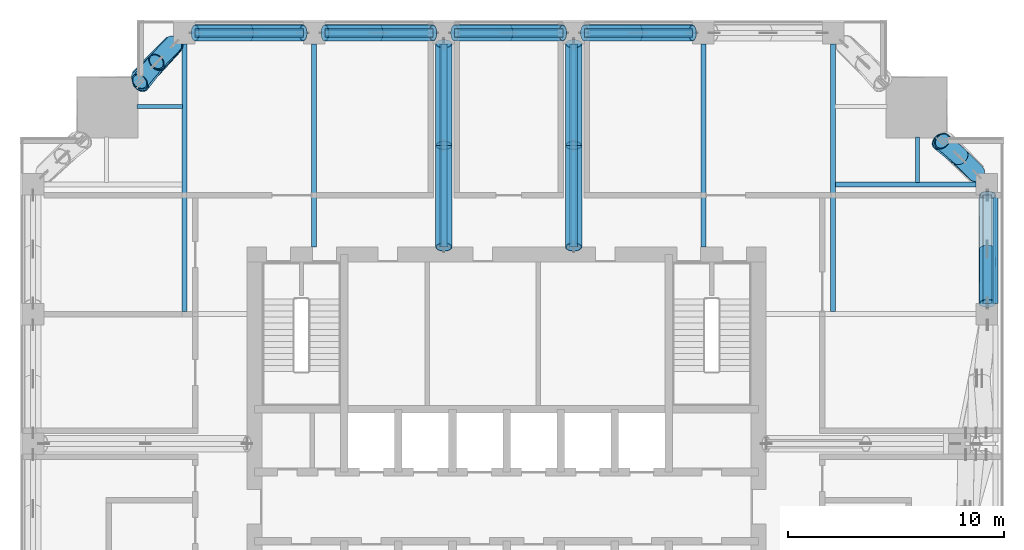
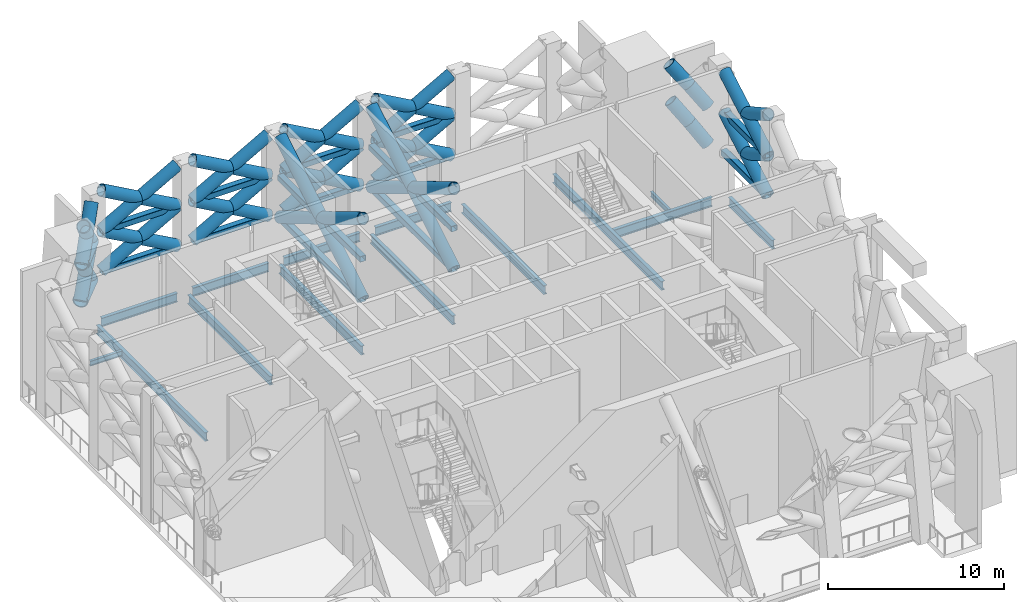
# One storey, part 5 of 18: 46 members, 30 beams.
"""IFC4 building model written with IfcOpenShell, lengths in metres."""

import ifcopenshell
import ifcopenshell.guid

model = None  # the IFC model being written
_history = None  # IfcOwnerHistory: only IFC2X3 demands one
_inside = {}  # id of a spatial element -> (the spatial element, [elements in it])
_under = {}  # id of a project, library or spatial element -> (it, [spatial elements below it])
_declared = {}  # id of a project -> (the project, [libraries it declares])
_typed = {}  # id of a type object -> (the type object, [elements of that type])
_made_of = {}  # id of a material, layer set ... -> (it, [elements and type objects made of it])


def new_model(schema):
    """Start an empty IFC model of exactly this schema.

    Asked for "IFC4X3", IfcOpenShell would pick the latest addendum, in which some entities
    have other attributes; the version numbers below select the first issue.
    IFC2X3 requires an IfcOwnerHistory on every rooted entity: one is made here for all.
    """
    global model, _history
    if schema == "IFC4X3":
        model = ifcopenshell.file(schema_version=(4, 3, 0, 0))
    else:
        model = ifcopenshell.file(schema=schema)
    _inside.clear()
    _under.clear()
    _declared.clear()
    _typed.clear()
    _made_of.clear()
    _history = None
    if model.schema == "IFC2X3":
        org = make("IfcOrganization", Name="unknown")
        user = make(
            "IfcPersonAndOrganization",
            ThePerson=make("IfcPerson", FamilyName="unknown"),
            TheOrganization=org,
        )
        app = make(
            "IfcApplication",
            ApplicationDeveloper=org,
            Version="unknown",
            ApplicationFullName="unknown",
            ApplicationIdentifier="unknown",
        )
        _history = make(
            "IfcOwnerHistory",
            OwningUser=user,
            OwningApplication=app,
            ChangeAction="ADDED",
            CreationDate=0,
        )
    return model


def make(cls, **values):
    """One entity of the class cls with the attributes given. An attribute that is None is left unset."""
    return model.create_entity(
        cls, **{name: value for name, value in values.items() if value is not None}
    )


def rooted(cls, **values):
    """An entity with a GlobalId (a new one), such as an element, a storey or a relation."""
    return make(cls, GlobalId=ifcopenshell.guid.new(), OwnerHistory=_history, **values)


def si_unit(unit_type, name, prefix=None):
    """IfcSIUnit, for example si_unit("LENGTHUNIT", "METRE", prefix="MILLI")."""
    return make("IfcSIUnit", UnitType=unit_type, Prefix=prefix, Name=name)


def assignment(units):
    """IfcUnitAssignment: the units of a project."""
    return None if units is None else make("IfcUnitAssignment", Units=units)


def point(xyz):
    """IfcCartesianPoint."""
    return None if xyz is None else make("IfcCartesianPoint", Coordinates=xyz)


def direction(xyz):
    """IfcDirection."""
    return None if xyz is None else make("IfcDirection", DirectionRatios=xyz)


def frame(location, z_axis=None, x_axis=None):
    """IfcAxis2Placement3D, a coordinate frame: its origin and axes. An axis left out is left unset."""
    return make(
        "IfcAxis2Placement3D",
        Location=point(location),
        Axis=direction(z_axis),
        RefDirection=direction(x_axis),
    )


def frame_2d(location, x_axis=None):
    """IfcAxis2Placement2D, a coordinate frame in the plane: its origin and x axis."""
    return make(
        "IfcAxis2Placement2D", Location=point(location), RefDirection=direction(x_axis)
    )


def origin():
    """The frame at (0, 0, 0) with its axes left unset."""
    return frame((0.0, 0.0, 0.0))


def origin_2d():
    """The frame at (0, 0) in the plane with its x axis left unset."""
    return frame_2d((0.0, 0.0))


def place(relative_to, where):
    """IfcLocalPlacement: puts the frame where relative to a parent placement (None: the world)."""
    return make(
        "IfcLocalPlacement", PlacementRelTo=relative_to, RelativePlacement=where
    )


def context(
    kind, dimensions, precision=None, world=None, true_north=None, identifier=None
):
    """IfcGeometricRepresentationContext, for example the 3D "Model" context."""
    return make(
        "IfcGeometricRepresentationContext",
        ContextIdentifier=identifier,
        ContextType=kind,
        CoordinateSpaceDimension=dimensions,
        Precision=precision,
        WorldCoordinateSystem=world,
        TrueNorth=true_north,
    )


def subcontext(parent, identifier, kind, view, scale=None):
    """IfcGeometricRepresentationSubContext, for example "Body" below "Model"."""
    return make(
        "IfcGeometricRepresentationSubContext",
        ContextIdentifier=identifier,
        ContextType=kind,
        ParentContext=parent,
        TargetScale=scale,
        TargetView=view,
    )


def project(units=None, contexts=None):
    """IfcProject with its units and contexts."""
    return rooted(
        "IfcProject",
        Name="project",
        RepresentationContexts=contexts,
        UnitsInContext=assignment(units),
    )


def spatial(cls, under=None, at=None, **own):
    """A site, building, storey or space (cls), placed at a placement, below another one or the project."""
    s = rooted(cls, ObjectPlacement=at, **own)
    if under is not None:
        _under.setdefault(under.id(), (under, []))[1].append(s)
    return s


def profile(cls, at=None, kind="AREA", **sizes):
    """A parametric profile (cls). Its sizes go by their IFC names, for example OverallWidth=200.0."""
    return make(cls, ProfileType=kind, Position=at, **sizes)


def hollow_rectangle(**sizes):
    """IfcRectangleHollowProfileDef."""
    return profile("IfcRectangleHollowProfileDef", **sizes)


def hollow_circle(**sizes):
    """IfcCircleHollowProfileDef."""
    return profile("IfcCircleHollowProfileDef", **sizes)


def i_section(**sizes):
    """IfcIShapeProfileDef."""
    return profile("IfcIShapeProfileDef", **sizes)


def extrude(swept, where, along, depth):
    """IfcExtrudedAreaSolid: the profile swept, set in the frame where, extruded along a direction by depth."""
    return make(
        "IfcExtrudedAreaSolid",
        SweptArea=swept,
        Position=where,
        ExtrudedDirection=direction(along),
        Depth=depth,
    )


def shape(context_of_items, identifier, shape_type, items):
    """IfcShapeRepresentation: the items that make up one representation, for example the "Body"."""
    return make(
        "IfcShapeRepresentation",
        ContextOfItems=context_of_items,
        RepresentationIdentifier=identifier,
        RepresentationType=shape_type,
        Items=items,
    )


def material(Name=None, Category=None):
    """IfcMaterial."""
    return make("IfcMaterial", Name=Name, Category=Category)


def material_profile(
    of_material, cross_section, Name=None, Category=None, Priority=None
):
    """IfcMaterialProfile: a cross section and its material."""
    return make(
        "IfcMaterialProfile",
        Name=Name,
        Material=of_material,
        Profile=cross_section,
        Priority=Priority,
        Category=Category,
    )


def profile_set(profiles, Name=None, composite=None):
    """IfcMaterialProfileSet."""
    return make(
        "IfcMaterialProfileSet",
        Name=Name,
        MaterialProfiles=profiles,
        CompositeProfile=composite,
    )


def made_of(thing, what):
    """Note that an element or type object is made of a material, layer set ...; save() writes the relation."""
    if what is not None:
        _made_of.setdefault(what.id(), (what, []))[1].append(thing)
    return thing


def type_object(cls, material=None, **own):
    """A type object (cls), such as IfcWallType, which elements share."""
    return made_of(rooted(cls, **own), material)


def element(
    cls,
    number,
    at=None,
    inside=None,
    cuts=None,
    type_object=None,
    material=None,
    context=None,
    identifier="Body",
    shape_type=None,
    held_by="IfcProductDefinitionShape",
    body=None,
    shapes=None,
    **own,
):
    """One element of the class cls, such as IfcWall. Its Tag is "e" and its number.

    at: its placement. inside: the storey or other place that contains it. cuts: it is an
    opening in that element (IfcRelVoidsElement). A single representation is given by context,
    identifier, shape_type and body (its items); several are given by shapes. held_by: the class
    of the entity that holds the representations. save() writes the other relations.
    """
    e = rooted(cls, Tag="e%d" % number, ObjectPlacement=at, **own)
    if body is not None:
        shapes = [shape(context, identifier, shape_type, body)]
    if shapes is not None:
        e.Representation = make(held_by, Representations=shapes)
    if inside is not None:
        _inside.setdefault(inside.id(), (inside, []))[1].append(e)
    if cuts is not None:
        rooted(
            "IfcRelVoidsElement", RelatingBuildingElement=cuts, RelatedOpeningElement=e
        )
    if type_object is not None:
        _typed.setdefault(type_object.id(), (type_object, []))[1].append(e)
    return made_of(e, material)


def aggregate(whole, parts):
    """IfcRelAggregates: a whole, such as a stair, and the parts it consists of."""
    return rooted("IfcRelAggregates", RelatingObject=whole, RelatedObjects=parts)


def save(model, path):
    """Write the relations noted so far, then the file.

    IfcRelAggregates (storeys below a building ...), IfcRelContainedInSpatialStructure (elements
    in a storey), IfcRelDefinesByType, IfcRelAssociatesMaterial and IfcRelDeclares: one each for
    every whole, place, type object, material and project.
    """
    for whole, parts in _under.values():
        aggregate(whole, parts)
    for where, things in _inside.values():
        rooted(
            "IfcRelContainedInSpatialStructure",
            RelatedElements=things,
            RelatingStructure=where,
        )
    for kind, things in _typed.values():
        rooted("IfcRelDefinesByType", RelatedObjects=things, RelatingType=kind)
    for what, things in _made_of.values():
        rooted("IfcRelAssociatesMaterial", RelatedObjects=things, RelatingMaterial=what)
    for by, libraries in _declared.values():
        rooted("IfcRelDeclares", RelatingContext=by, RelatedDefinitions=libraries)
    model.write(path)


model = new_model("IFC4")

# Units and contexts
model_context = context("Model", 3, precision=1e-05, world=origin(), true_north=direction((0.0, 1.0)))
body_context = subcontext(model_context, "Body", "Model", "MODEL_VIEW")
ifc_project = project(units=[si_unit("LENGTHUNIT", "METRE"), si_unit("AREAUNIT", "SQUARE_METRE"), si_unit("VOLUMEUNIT", "CUBIC_METRE"), si_unit("PLANEANGLEUNIT", "RADIAN"), si_unit("MASSUNIT", "GRAM", prefix="KILO")], contexts=[model_context])

# Site, building, storey
site_placement = place(None, origin())
site = spatial("IfcSite", under=ifc_project, at=site_placement, CompositionType="ELEMENT")
building_placement = place(site_placement, origin())
building = spatial("IfcBuilding", under=site, at=building_placement, Name="Amberfall Residences", CompositionType="ELEMENT")
storey_placement = place(building_placement, frame((0.0, 0.0, 178.0)))
storey = spatial("IfcBuildingStorey", under=building, at=storey_placement, Name="L48", CompositionType="ELEMENT", Elevation=178.0)

# Beams
ifc_material = material(Name="Steel S355", Category="steel")
ifc_material_profile_1 = material_profile(ifc_material, hollow_circle(Radius=0.457275390625, WallThickness=0.06005859375, at=origin_2d()), Name="CHS 914.4x60")
ifc_profile_set_1 = profile_set([ifc_material_profile_1], Name="Steel S355")
beam_type_1 = type_object("IfcBeamType", Name="Belt truss chord BT CHS 914.4x60", PredefinedType="BEAM", material=ifc_profile_set_1)
beam_1_placement = place(storey_placement, frame((57.506591796875, 65.2685546875, 3.0), z_axis=(0.700725483143, 0.713431003864, 0.0), x_axis=(-0.713431003864, 0.700725483143, 0.0)))
element("IfcBeam", 1, at=beam_1_placement, inside=storey, type_object=beam_type_1, Name="Belt truss chord BT2 L48 NWN", PredefinedType="BEAM", context=body_context, shape_type="SweptSolid", body=[
    extrude(hollow_circle(Radius=0.457275390625, WallThickness=0.06005859375, at=origin_2d()), origin(), (0.0, 0.0, 1.0), 2.28662109375),
])
beam_2_placement = place(storey_placement, frame((57.53564453125, 65.147705078125, 5.646484375), z_axis=(0.675673462117, 0.737201039467, 0.0), x_axis=(-0.737201039467, 0.675673462117, 0.0)))
element("IfcBeam", 2, at=beam_2_placement, inside=storey, type_object=beam_type_1, Name="Belt truss chord BT2 L48 NWNm", PredefinedType="BEAM", context=body_context, shape_type="SweptSolid", body=[
    extrude(hollow_circle(Radius=0.457275390625, WallThickness=0.06005859375, at=origin_2d()), origin(), (0.0, 0.0, 1.0), 2.376708984375),
])
ifc_material_profile_2 = material_profile(ifc_material, hollow_rectangle(XDim=0.39990234375, YDim=0.39990234375, WallThickness=0.02001953125, InnerFilletRadius=0.02001953125, OuterFilletRadius=0.030029296875, at=origin_2d()), Name="RHS 400x400x20")
ifc_profile_set_2 = profile_set([ifc_material_profile_2], Name="Steel S355")
beam_type_2 = type_object("IfcBeamType", Name="Belt truss chord BT RHS 400x400x20", PredefinedType="BEAM", material=ifc_profile_set_2)
for number, where, z_axis, x_axis, name in (
    (3, (96.71728515625, 54.89990234375, 2.89990234375), (0.0, 1.0, 0.0), (-1.0, 0.0, 0.0), "Belt truss chord BT3 L48 E5"),
    (4, (96.732421875, 54.89990234375, 5.699951171875), (0.0, 1.0, 0.0), (-1.0, 0.0, 0.0), "Belt truss chord BT3 L48 E5m"),
    (5, (60.10009765625, 67.39990234375, 2.89990234375), (1.0, 0.0, 0.0), (0.0, 1.0, 0.0), "Belt truss chord BT3 L48 N1"),
    (6, (60.10009765625, 67.39990234375, 5.699951171875), (1.0, 0.0, 0.0), (0.0, 1.0, 0.0), "Belt truss chord BT3 L48 N1m"),
    (7, (66.10009765625, 67.39990234375, 2.89990234375), (1.0, 0.0, 0.0), (0.0, 1.0, 0.0), "Belt truss chord BT3 L48 N2"),
    (8, (66.10009765625, 67.39990234375, 5.699951171875), (1.0, 0.0, 0.0), (0.0, 1.0, 0.0), "Belt truss chord BT3 L48 N2m"),
    (9, (72.10009765625, 67.39990234375, 2.89990234375), (1.0, 0.0, 0.0), (0.0, 1.0, 0.0), "Belt truss chord BT3 L48 N3"),
    (10, (72.10009765625, 67.39990234375, 5.699951171875), (1.0, 0.0, 0.0), (0.0, 1.0, 0.0), "Belt truss chord BT3 L48 N3m"),
    (11, (78.10009765625, 67.39990234375, 2.89990234375), (1.0, 0.0, 0.0), (0.0, 1.0, 0.0), "Belt truss chord BT3 L48 N4"),
    (12, (78.10009765625, 67.39990234375, 5.699951171875), (1.0, 0.0, 0.0), (0.0, 1.0, 0.0), "Belt truss chord BT3 L48 N4m"),
):
    element("IfcBeam", number, at=place(storey_placement, frame(where, z_axis=z_axis, x_axis=x_axis)), inside=storey, type_object=beam_type_2, Name=name, PredefinedType="BEAM", context=body_context, shape_type="SweptSolid", body=[
        extrude(hollow_rectangle(XDim=0.39990234375, YDim=0.39990234375, WallThickness=0.02001953125, InnerFilletRadius=0.02001953125, OuterFilletRadius=0.030029296875, at=origin_2d()), origin(), (0.0, 0.0, 1.0), 5.0),
    ])

# Members
ifc_material_profile_3 = material_profile(ifc_material, hollow_circle(Radius=0.381103515625, WallThickness=0.0400390625, at=origin_2d()), Name="CHS 762x40")
ifc_profile_set_3 = profile_set([ifc_material_profile_3], Name="Steel S355")
member_type_1 = type_object("IfcMemberType", Name="Belt truss diagonal BT CHS 762x40", PredefinedType="BRACE", material=ifc_profile_set_3)
member_1_placement = place(storey_placement, frame((96.71728515625, 54.89990234375, 2.89990234375), z_axis=(0.002641355424, 0.872499339919, 0.488608150856), x_axis=(-0.999995417626, 0.003027329878, 0.0)))
element("IfcMember", 13, at=member_1_placement, inside=storey, type_object=member_type_1, Name="Belt truss diagonal BT4 L48 E5d", PredefinedType="BRACE", context=body_context, shape_type="SweptSolid", body=[
    extrude(hollow_circle(Radius=0.381103515625, WallThickness=0.0400390625, at=origin_2d()), origin(), (0.0, 0.0, 1.0), 5.730712890625),
])
member_2_placement = place(storey_placement, frame((96.732421875, 54.89990234375, 5.699951171875), z_axis=(-0.002641410405, 0.872517501581, -0.48857571817), x_axis=(-0.999995417626, -0.003027329878, 0.0)))
element("IfcMember", 14, at=member_2_placement, inside=storey, type_object=member_type_1, Name="Belt truss diagonal BT4 L48 E5e", PredefinedType="BRACE", context=body_context, shape_type="SweptSolid", body=[
    extrude(hollow_circle(Radius=0.381103515625, WallThickness=0.0400390625, at=origin_2d()), origin(), (0.0, 0.0, 1.0), 2.865234375),
])
member_3_placement = place(storey_placement, frame((96.732421875, 54.89990234375, 5.699951171875), z_axis=(0.002598753207, 0.872499437308, 0.488608205395), x_axis=(-0.999995564252, 0.002978502413, 0.0)))
element("IfcMember", 15, at=member_3_placement, inside=storey, type_object=member_type_1, Name="Belt truss diagonal BT4 L48 E5du", PredefinedType="BRACE", context=body_context, shape_type="SweptSolid", body=[
    extrude(hollow_circle(Radius=0.381103515625, WallThickness=0.0400390625, at=origin_2d()), origin(), (0.0, 0.0, 1.0), 5.730712890625),
])
member_4_placement = place(storey_placement, frame((96.747314453125, 54.89990234375, 8.5), z_axis=(-0.002641410405, 0.872517501581, -0.48857571817), x_axis=(-0.999995417626, -0.003027329878, 0.0)))
element("IfcMember", 16, at=member_4_placement, inside=storey, type_object=member_type_1, Name="Belt truss diagonal BT4 L48 E5eu", PredefinedType="BRACE", context=body_context, shape_type="SweptSolid", body=[
    extrude(hollow_circle(Radius=0.381103515625, WallThickness=0.0400390625, at=origin_2d()), origin(), (0.0, 0.0, 1.0), 2.865234375),
])
member_5_placement = place(storey_placement, frame((60.10009765625, 67.39990234375, 2.89990234375), z_axis=(0.872502383543, 0.0, 0.488609855315), x_axis=(0.0, 1.0, 0.0)))
element("IfcMember", 17, at=member_5_placement, inside=storey, type_object=member_type_1, Name="Belt truss diagonal BT4 L48 N1d", PredefinedType="BRACE", context=body_context, shape_type="SweptSolid", body=[
    extrude(hollow_circle(Radius=0.381103515625, WallThickness=0.0400390625, at=origin_2d()), origin(), (0.0, 0.0, 1.0), 5.730712890625),
])
member_6_placement = place(storey_placement, frame((60.10009765625, 67.39990234375, 5.699951171875), z_axis=(0.872520545396, 0.0, -0.488577422588), x_axis=(0.0, 1.0, 0.0)))
element("IfcMember", 18, at=member_6_placement, inside=storey, type_object=member_type_1, Name="Belt truss diagonal BT4 L48 N1e", PredefinedType="BRACE", context=body_context, shape_type="SweptSolid", body=[
    extrude(hollow_circle(Radius=0.381103515625, WallThickness=0.0400390625, at=origin_2d()), origin(), (0.0, 0.0, 1.0), 2.865234375),
])
member_7_placement = place(storey_placement, frame((62.60009765625, 67.39990234375, 4.300048828125), z_axis=(0.872484221242, 0.0, -0.488642286018), x_axis=(0.0, 1.0, 0.0)))
element("IfcMember", 19, at=member_7_placement, inside=storey, type_object=member_type_1, Name="Belt truss diagonal BT4 L48 N1e2", PredefinedType="BRACE", context=body_context, shape_type="SweptSolid", body=[
    extrude(hollow_circle(Radius=0.381103515625, WallThickness=0.0400390625, at=origin_2d()), origin(), (0.0, 0.0, 1.0), 2.865478515625),
])
member_8_placement = place(storey_placement, frame((60.10009765625, 67.39990234375, 5.699951171875), z_axis=(0.872502383543, 0.0, 0.488609855315), x_axis=(0.0, 1.0, 0.0)))
element("IfcMember", 20, at=member_8_placement, inside=storey, type_object=member_type_1, Name="Belt truss diagonal BT4 L48 N1du", PredefinedType="BRACE", context=body_context, shape_type="SweptSolid", body=[
    extrude(hollow_circle(Radius=0.381103515625, WallThickness=0.0400390625, at=origin_2d()), origin(), (0.0, 0.0, 1.0), 5.730712890625),
])
member_9_placement = place(storey_placement, frame((60.10009765625, 67.39990234375, 8.5), z_axis=(0.872520545396, 0.0, -0.488577422588), x_axis=(0.0, 1.0, 0.0)))
element("IfcMember", 21, at=member_9_placement, inside=storey, type_object=member_type_1, Name="Belt truss diagonal BT4 L48 N1eu", PredefinedType="BRACE", context=body_context, shape_type="SweptSolid", body=[
    extrude(hollow_circle(Radius=0.381103515625, WallThickness=0.0400390625, at=origin_2d()), origin(), (0.0, 0.0, 1.0), 2.865234375),
])
member_10_placement = place(storey_placement, frame((62.60009765625, 67.39990234375, 7.10009765625), z_axis=(0.872484221242, 0.0, -0.488642286018), x_axis=(0.0, 1.0, 0.0)))
element("IfcMember", 22, at=member_10_placement, inside=storey, type_object=member_type_1, Name="Belt truss diagonal BT4 L48 N1e2u", PredefinedType="BRACE", context=body_context, shape_type="SweptSolid", body=[
    extrude(hollow_circle(Radius=0.381103515625, WallThickness=0.0400390625, at=origin_2d()), origin(), (0.0, 0.0, 1.0), 2.865478515625),
])
member_11_placement = place(storey_placement, frame((66.10009765625, 67.39990234375, 2.89990234375), z_axis=(0.872502383543, 0.0, 0.488609855315), x_axis=(0.0, 1.0, 0.0)))
element("IfcMember", 23, at=member_11_placement, inside=storey, type_object=member_type_1, Name="Belt truss diagonal BT4 L48 N2d", PredefinedType="BRACE", context=body_context, shape_type="SweptSolid", body=[
    extrude(hollow_circle(Radius=0.381103515625, WallThickness=0.0400390625, at=origin_2d()), origin(), (0.0, 0.0, 1.0), 5.730712890625),
])
member_12_placement = place(storey_placement, frame((66.10009765625, 67.39990234375, 5.699951171875), z_axis=(0.872520545396, 0.0, -0.488577422588), x_axis=(0.0, 1.0, 0.0)))
element("IfcMember", 24, at=member_12_placement, inside=storey, type_object=member_type_1, Name="Belt truss diagonal BT4 L48 N2e", PredefinedType="BRACE", context=body_context, shape_type="SweptSolid", body=[
    extrude(hollow_circle(Radius=0.381103515625, WallThickness=0.0400390625, at=origin_2d()), origin(), (0.0, 0.0, 1.0), 2.865234375),
])
member_13_placement = place(storey_placement, frame((68.60009765625, 67.39990234375, 4.300048828125), z_axis=(0.872484221242, 0.0, -0.488642286018), x_axis=(0.0, 1.0, 0.0)))
element("IfcMember", 25, at=member_13_placement, inside=storey, type_object=member_type_1, Name="Belt truss diagonal BT4 L48 N2e2", PredefinedType="BRACE", context=body_context, shape_type="SweptSolid", body=[
    extrude(hollow_circle(Radius=0.381103515625, WallThickness=0.0400390625, at=origin_2d()), origin(), (0.0, 0.0, 1.0), 2.865478515625),
])
member_14_placement = place(storey_placement, frame((66.10009765625, 67.39990234375, 5.699951171875), z_axis=(0.872502383543, 0.0, 0.488609855315), x_axis=(0.0, 1.0, 0.0)))
element("IfcMember", 26, at=member_14_placement, inside=storey, type_object=member_type_1, Name="Belt truss diagonal BT4 L48 N2du", PredefinedType="BRACE", context=body_context, shape_type="SweptSolid", body=[
    extrude(hollow_circle(Radius=0.381103515625, WallThickness=0.0400390625, at=origin_2d()), origin(), (0.0, 0.0, 1.0), 5.730712890625),
])
member_15_placement = place(storey_placement, frame((66.10009765625, 67.39990234375, 8.5), z_axis=(0.872520545396, 0.0, -0.488577422588), x_axis=(0.0, 1.0, 0.0)))
element("IfcMember", 27, at=member_15_placement, inside=storey, type_object=member_type_1, Name="Belt truss diagonal BT4 L48 N2eu", PredefinedType="BRACE", context=body_context, shape_type="SweptSolid", body=[
    extrude(hollow_circle(Radius=0.381103515625, WallThickness=0.0400390625, at=origin_2d()), origin(), (0.0, 0.0, 1.0), 2.865234375),
])
member_16_placement = place(storey_placement, frame((68.60009765625, 67.39990234375, 7.10009765625), z_axis=(0.872484221242, 0.0, -0.488642286018), x_axis=(0.0, 1.0, 0.0)))
element("IfcMember", 28, at=member_16_placement, inside=storey, type_object=member_type_1, Name="Belt truss diagonal BT4 L48 N2e2u", PredefinedType="BRACE", context=body_context, shape_type="SweptSolid", body=[
    extrude(hollow_circle(Radius=0.381103515625, WallThickness=0.0400390625, at=origin_2d()), origin(), (0.0, 0.0, 1.0), 2.865478515625),
])
member_17_placement = place(storey_placement, frame((72.10009765625, 67.39990234375, 2.89990234375), z_axis=(0.872502383543, 0.0, 0.488609855315), x_axis=(0.0, 1.0, 0.0)))
element("IfcMember", 29, at=member_17_placement, inside=storey, type_object=member_type_1, Name="Belt truss diagonal BT4 L48 N3d", PredefinedType="BRACE", context=body_context, shape_type="SweptSolid", body=[
    extrude(hollow_circle(Radius=0.381103515625, WallThickness=0.0400390625, at=origin_2d()), origin(), (0.0, 0.0, 1.0), 5.730712890625),
])
member_18_placement = place(storey_placement, frame((72.10009765625, 67.39990234375, 5.699951171875), z_axis=(0.872520545396, 0.0, -0.488577422588), x_axis=(0.0, 1.0, 0.0)))
element("IfcMember", 30, at=member_18_placement, inside=storey, type_object=member_type_1, Name="Belt truss diagonal BT4 L48 N3e", PredefinedType="BRACE", context=body_context, shape_type="SweptSolid", body=[
    extrude(hollow_circle(Radius=0.381103515625, WallThickness=0.0400390625, at=origin_2d()), origin(), (0.0, 0.0, 1.0), 2.865234375),
])
member_19_placement = place(storey_placement, frame((74.60009765625, 67.39990234375, 4.300048828125), z_axis=(0.872484221242, 0.0, -0.488642286018), x_axis=(0.0, 1.0, 0.0)))
element("IfcMember", 31, at=member_19_placement, inside=storey, type_object=member_type_1, Name="Belt truss diagonal BT4 L48 N3e2", PredefinedType="BRACE", context=body_context, shape_type="SweptSolid", body=[
    extrude(hollow_circle(Radius=0.381103515625, WallThickness=0.0400390625, at=origin_2d()), origin(), (0.0, 0.0, 1.0), 2.865478515625),
])
member_20_placement = place(storey_placement, frame((72.10009765625, 67.39990234375, 5.699951171875), z_axis=(0.872502383543, 0.0, 0.488609855315), x_axis=(0.0, 1.0, 0.0)))
element("IfcMember", 32, at=member_20_placement, inside=storey, type_object=member_type_1, Name="Belt truss diagonal BT4 L48 N3du", PredefinedType="BRACE", context=body_context, shape_type="SweptSolid", body=[
    extrude(hollow_circle(Radius=0.381103515625, WallThickness=0.0400390625, at=origin_2d()), origin(), (0.0, 0.0, 1.0), 5.730712890625),
])
member_21_placement = place(storey_placement, frame((72.10009765625, 67.39990234375, 8.5), z_axis=(0.872520545396, 0.0, -0.488577422588), x_axis=(0.0, 1.0, 0.0)))
element("IfcMember", 33, at=member_21_placement, inside=storey, type_object=member_type_1, Name="Belt truss diagonal BT4 L48 N3eu", PredefinedType="BRACE", context=body_context, shape_type="SweptSolid", body=[
    extrude(hollow_circle(Radius=0.381103515625, WallThickness=0.0400390625, at=origin_2d()), origin(), (0.0, 0.0, 1.0), 2.865234375),
])
member_22_placement = place(storey_placement, frame((74.60009765625, 67.39990234375, 7.10009765625), z_axis=(0.872484221242, 0.0, -0.488642286018), x_axis=(0.0, 1.0, 0.0)))
element("IfcMember", 34, at=member_22_placement, inside=storey, type_object=member_type_1, Name="Belt truss diagonal BT4 L48 N3e2u", PredefinedType="BRACE", context=body_context, shape_type="SweptSolid", body=[
    extrude(hollow_circle(Radius=0.381103515625, WallThickness=0.0400390625, at=origin_2d()), origin(), (0.0, 0.0, 1.0), 2.865478515625),
])
member_23_placement = place(storey_placement, frame((78.10009765625, 67.39990234375, 2.89990234375), z_axis=(0.872502383543, 0.0, 0.488609855315), x_axis=(0.0, 1.0, 0.0)))
element("IfcMember", 35, at=member_23_placement, inside=storey, type_object=member_type_1, Name="Belt truss diagonal BT4 L48 N4d", PredefinedType="BRACE", context=body_context, shape_type="SweptSolid", body=[
    extrude(hollow_circle(Radius=0.381103515625, WallThickness=0.0400390625, at=origin_2d()), origin(), (0.0, 0.0, 1.0), 5.730712890625),
])
member_24_placement = place(storey_placement, frame((78.10009765625, 67.39990234375, 5.699951171875), z_axis=(0.872520545396, 0.0, -0.488577422588), x_axis=(0.0, 1.0, 0.0)))
element("IfcMember", 36, at=member_24_placement, inside=storey, type_object=member_type_1, Name="Belt truss diagonal BT4 L48 N4e", PredefinedType="BRACE", context=body_context, shape_type="SweptSolid", body=[
    extrude(hollow_circle(Radius=0.381103515625, WallThickness=0.0400390625, at=origin_2d()), origin(), (0.0, 0.0, 1.0), 2.865234375),
])
member_25_placement = place(storey_placement, frame((80.60009765625, 67.39990234375, 4.300048828125), z_axis=(0.872484221242, 0.0, -0.488642286018), x_axis=(0.0, 1.0, 0.0)))
element("IfcMember", 37, at=member_25_placement, inside=storey, type_object=member_type_1, Name="Belt truss diagonal BT4 L48 N4e2", PredefinedType="BRACE", context=body_context, shape_type="SweptSolid", body=[
    extrude(hollow_circle(Radius=0.381103515625, WallThickness=0.0400390625, at=origin_2d()), origin(), (0.0, 0.0, 1.0), 2.865478515625),
])
member_26_placement = place(storey_placement, frame((78.10009765625, 67.39990234375, 5.699951171875), z_axis=(0.872502383543, 0.0, 0.488609855315), x_axis=(0.0, 1.0, 0.0)))
element("IfcMember", 38, at=member_26_placement, inside=storey, type_object=member_type_1, Name="Belt truss diagonal BT4 L48 N4du", PredefinedType="BRACE", context=body_context, shape_type="SweptSolid", body=[
    extrude(hollow_circle(Radius=0.381103515625, WallThickness=0.0400390625, at=origin_2d()), origin(), (0.0, 0.0, 1.0), 5.730712890625),
])
member_27_placement = place(storey_placement, frame((78.10009765625, 67.39990234375, 8.5), z_axis=(0.872520545396, 0.0, -0.488577422588), x_axis=(0.0, 1.0, 0.0)))
element("IfcMember", 39, at=member_27_placement, inside=storey, type_object=member_type_1, Name="Belt truss diagonal BT4 L48 N4eu", PredefinedType="BRACE", context=body_context, shape_type="SweptSolid", body=[
    extrude(hollow_circle(Radius=0.381103515625, WallThickness=0.0400390625, at=origin_2d()), origin(), (0.0, 0.0, 1.0), 2.865234375),
])
member_28_placement = place(storey_placement, frame((80.60009765625, 67.39990234375, 7.10009765625), z_axis=(0.872484221242, 0.0, -0.488642286018), x_axis=(0.0, 1.0, 0.0)))
element("IfcMember", 40, at=member_28_placement, inside=storey, type_object=member_type_1, Name="Belt truss diagonal BT4 L48 N4e2u", PredefinedType="BRACE", context=body_context, shape_type="SweptSolid", body=[
    extrude(hollow_circle(Radius=0.381103515625, WallThickness=0.0400390625, at=origin_2d()), origin(), (0.0, 0.0, 1.0), 2.865478515625),
])
ifc_material_profile_4 = material_profile(ifc_material, hollow_circle(Radius=0.406494140625, WallThickness=0.050048828125, at=origin_2d()), Name="CHS 813x50")
ifc_profile_set_4 = profile_set([ifc_material_profile_4], Name="Steel S355")
member_type_2 = type_object("IfcMemberType", Name="Belt truss diagonal BT CHS 813x50", PredefinedType="BRACE", material=ifc_profile_set_4)
member_29_placement = place(storey_placement, frame((94.647705078125, 62.402587890625, 5.646484375), z_axis=(0.479127281014, -0.420776574606, -0.770314301341), x_axis=(0.659871524453, 0.751378447399, 0.0)))
element("IfcMember", 41, at=member_29_placement, inside=storey, type_object=member_type_2, Name="Belt truss diagonal BT5 L48 NEEe", PredefinedType="BRACE", context=body_context, shape_type="SweptSolid", body=[
    extrude(hollow_circle(Radius=0.406494140625, WallThickness=0.050048828125, at=origin_2d()), origin(), (0.0, 0.0, 1.0), 1.723876953125),
])
member_30_placement = place(storey_placement, frame((95.4736328125, 61.67724609375, 4.318603515625), z_axis=(0.445404124391, -0.454686352055, -0.771281717164), x_axis=(0.714360870268, 0.699777498231, 0.0)))
element("IfcMember", 42, at=member_30_placement, inside=storey, type_object=member_type_2, Name="Belt truss diagonal BT5 L48 NEEe2", PredefinedType="BRACE", context=body_context, shape_type="SweptSolid", body=[
    extrude(hollow_circle(Radius=0.406494140625, WallThickness=0.050048828125, at=origin_2d()), origin(), (0.0, 0.0, 1.0), 1.709716796875),
])
member_31_placement = place(storey_placement, frame((94.528564453125, 62.37890625, 8.292724609375), z_axis=(0.504265509957, -0.412879356769, -0.758450349214), x_axis=(0.633512089904, 0.773732791049, 0.0)))
element("IfcMember", 43, at=member_31_placement, inside=storey, type_object=member_type_2, Name="Belt truss diagonal BT5 L48 NEEeu", PredefinedType="BRACE", context=body_context, shape_type="SweptSolid", body=[
    extrude(hollow_circle(Radius=0.406494140625, WallThickness=0.050048828125, at=origin_2d()), origin(), (0.0, 0.0, 1.0), 1.78466796875),
])
member_32_placement = place(storey_placement, frame((95.428466796875, 61.64208984375, 6.939208984375), z_axis=(0.472174873338, -0.447504740223, -0.759467179321), x_axis=(0.687891404621, 0.72581362308, 0.0)))
element("IfcMember", 44, at=member_32_placement, inside=storey, type_object=member_type_2, Name="Belt truss diagonal BT5 L48 NEEe2u", PredefinedType="BRACE", context=body_context, shape_type="SweptSolid", body=[
    extrude(hollow_circle(Radius=0.406494140625, WallThickness=0.050048828125, at=origin_2d()), origin(), (0.0, 0.0, 1.0), 1.7021484375),
])
member_33_placement = place(storey_placement, frame((57.506591796875, 65.2685546875, 3.0), z_axis=(0.465468580464, 0.464426019809, 0.753423833393), x_axis=(-0.706313557411, 0.70789911613, 0.0)))
element("IfcMember", 45, at=member_33_placement, inside=storey, type_object=member_type_2, Name="Belt truss diagonal BT5 L48 NWNd", PredefinedType="BRACE", context=body_context, shape_type="SweptSolid", body=[
    extrude(hollow_circle(Radius=0.406494140625, WallThickness=0.050048828125, at=origin_2d()), origin(), (0.0, 0.0, 1.0), 3.5126953125),
])
member_34_placement = place(storey_placement, frame((57.53564453125, 65.147705078125, 5.646484375), z_axis=(0.427827626661, 0.509852695955, -0.746333538234), x_axis=(-0.766036735961, 0.642796794607, 0.0)))
element("IfcMember", 46, at=member_34_placement, inside=storey, type_object=member_type_2, Name="Belt truss diagonal BT5 L48 NWNe", PredefinedType="BRACE", context=body_context, shape_type="SweptSolid", body=[
    extrude(hollow_circle(Radius=0.406494140625, WallThickness=0.050048828125, at=origin_2d()), origin(), (0.0, 0.0, 1.0), 1.806640625),
])
member_35_placement = place(storey_placement, frame((58.30859375, 66.06884765625, 4.298095703125), z_axis=(0.460808906002, 0.478521511907, -0.747443853939), x_axis=(-0.720312381704, 0.693649819984, 0.0)))
element("IfcMember", 47, at=member_35_placement, inside=storey, type_object=member_type_2, Name="Belt truss diagonal BT5 L48 NWNe2", PredefinedType="BRACE", context=body_context, shape_type="SweptSolid", body=[
    extrude(hollow_circle(Radius=0.406494140625, WallThickness=0.050048828125, at=origin_2d()), origin(), (0.0, 0.0, 1.0), 1.73681640625),
])
member_36_placement = place(storey_placement, frame((57.53564453125, 65.147705078125, 5.646484375), z_axis=(0.45828961203, 0.490697381104, 0.741071326987), x_axis=(-0.730828349413, 0.682561296658, 0.0)))
element("IfcMember", 48, at=member_36_placement, inside=storey, type_object=member_type_2, Name="Belt truss diagonal BT5 L48 NWNdu", PredefinedType="BRACE", context=body_context, shape_type="SweptSolid", body=[
    extrude(hollow_circle(Radius=0.406494140625, WallThickness=0.050048828125, at=origin_2d()), origin(), (0.0, 0.0, 1.0), 3.57080078125),
])
member_37_placement = place(storey_placement, frame((57.570068359375, 65.02880859375, 8.292724609375), z_axis=(0.419545782857, 0.534148866309, -0.733938910747), x_axis=(-0.786420330474, 0.617691722316, 0.0)))
element("IfcMember", 49, at=member_37_placement, inside=storey, type_object=member_type_2, Name="Belt truss diagonal BT5 L48 NWNeu", PredefinedType="BRACE", context=body_context, shape_type="SweptSolid", body=[
    extrude(hollow_circle(Radius=0.406494140625, WallThickness=0.050048828125, at=origin_2d()), origin(), (0.0, 0.0, 1.0), 1.834228515625),
])
member_38_placement = place(storey_placement, frame((58.339599609375, 66.008544921875, 6.946533203125), z_axis=(0.453473923347, 0.503997958642, -0.735083300402), x_axis=(-0.74338525827, 0.668863482174, 0.0)))
element("IfcMember", 50, at=member_38_placement, inside=storey, type_object=member_type_2, Name="Belt truss diagonal BT5 L48 NWNe2u", PredefinedType="BRACE", context=body_context, shape_type="SweptSolid", body=[
    extrude(hollow_circle(Radius=0.406494140625, WallThickness=0.050048828125, at=origin_2d()), origin(), (0.0, 0.0, 1.0), 1.7685546875),
])

# Beams
ifc_material_profile_5 = material_profile(ifc_material, i_section(OverallWidth=0.228271484375, OverallDepth=0.607666015625, WebThickness=0.010986328125, FlangeThickness=0.017333984375, FilletRadius=0.0126953125, at=origin_2d()), Name="UB 610x229x113")
ifc_profile_set_5 = profile_set([ifc_material_profile_5], Name="Steel S355")
beam_type_3 = type_object("IfcBeamType", Name="Edge beam UB 610x229x113", PredefinedType="SPANDREL", material=ifc_profile_set_5)
for number, where, z_axis, x_axis, name in (
    (51, (97.10009765625, 54.89990234375, -0.65380859375), (0.0, 1.0, 0.0), (-1.0, 0.0, 0.0), "Edge beam B12 L48 18"),
    (52, (60.10009765625, 67.39990234375, -0.65380859375), (1.0, 0.0, 0.0), (0.0, 1.0, 0.0), "Edge beam B12 L48 29"),
    (53, (66.10009765625, 67.39990234375, -0.65380859375), (1.0, 0.0, 0.0), (0.0, 1.0, 0.0), "Edge beam B12 L48 30"),
    (54, (72.10009765625, 67.39990234375, -0.65380859375), (1.0, 0.0, 0.0), (0.0, 1.0, 0.0), "Edge beam B12 L48 31"),
    (55, (78.10009765625, 67.39990234375, -0.65380859375), (1.0, 0.0, 0.0), (0.0, 1.0, 0.0), "Edge beam B12 L48 32"),
):
    element("IfcBeam", number, at=place(storey_placement, frame(where, z_axis=z_axis, x_axis=x_axis)), inside=storey, type_object=beam_type_3, Name=name, PredefinedType="SPANDREL", context=body_context, shape_type="SweptSolid", body=[
        extrude(i_section(OverallWidth=0.228271484375, OverallDepth=0.607666015625, WebThickness=0.010986328125, FlangeThickness=0.017333984375, FilletRadius=0.0126953125, at=origin_2d()), origin(), (0.0, 0.0, 1.0), 5.0),
    ])
ifc_material_profile_6 = material_profile(ifc_material, i_section(OverallWidth=0.230224609375, OverallDepth=0.6171875, WebThickness=0.01318359375, FlangeThickness=0.022216796875, FilletRadius=0.0126953125, at=origin_2d()), Name="UB 610x229x140")
ifc_profile_set_6 = profile_set([ifc_material_profile_6], Name="Steel S355")
beam_type_4 = type_object("IfcBeamType", Name="Floor girder UB 610x229x140", PredefinedType="BEAM", material=ifc_profile_set_6)
beam_3_placement = place(storey_placement, frame((96.199951171875, 60.39990234375, -0.65869140625), z_axis=(-1.0, 0.0, 0.0), x_axis=(0.0, -1.0, 0.0)))
element("IfcBeam", 56, at=beam_3_placement, inside=storey, type_object=beam_type_4, Name="Floor girder B13 L48 28", PredefinedType="BEAM", context=body_context, shape_type="SweptSolid", body=[
    extrude(i_section(OverallWidth=0.230224609375, OverallDepth=0.6171875, WebThickness=0.01318359375, FlangeThickness=0.022216796875, FilletRadius=0.0126953125, at=origin_2d()), origin(), (0.0, 0.0, 1.0), 6.47998046875),
])
beam_4_placement = place(storey_placement, frame((59.60009765625, 66.89990234375, -0.65869140625), z_axis=(0.0, -1.0, 0.0), x_axis=(1.0, 0.0, 0.0)))
element("IfcBeam", 57, at=beam_4_placement, inside=storey, type_object=beam_type_4, Name="Floor girder B13 L48 34", PredefinedType="BEAM", context=body_context, shape_type="SweptSolid", body=[
    extrude(i_section(OverallWidth=0.230224609375, OverallDepth=0.6171875, WebThickness=0.01318359375, FlangeThickness=0.022216796875, FilletRadius=0.0126953125, at=origin_2d()), origin(), (0.0, 0.0, 1.0), 12.389892578125),
])
for number, where, z_axis, x_axis, name in (
    (58, (65.60009765625, 66.89990234375, -0.65869140625), (0.0, -1.0, 0.0), (1.0, 0.0, 0.0), "Floor girder B13 L48 35"),
    (59, (71.60009765625, 66.89990234375, -0.65869140625), (0.0, -1.0, 0.0), (1.0, 0.0, 0.0), "Floor girder B13 L48 36"),
    (60, (77.60009765625, 66.89990234375, -0.65869140625), (0.0, -1.0, 0.0), (1.0, 0.0, 0.0), "Floor girder B13 L48 37"),
    (61, (83.60009765625, 66.89990234375, -0.65869140625), (0.0, -1.0, 0.0), (1.0, 0.0, 0.0), "Floor girder B13 L48 38"),
):
    element("IfcBeam", number, at=place(storey_placement, frame(where, z_axis=z_axis, x_axis=x_axis)), inside=storey, type_object=beam_type_4, Name=name, PredefinedType="BEAM", context=body_context, shape_type="SweptSolid", body=[
        extrude(i_section(OverallWidth=0.230224609375, OverallDepth=0.6171875, WebThickness=0.01318359375, FlangeThickness=0.022216796875, FilletRadius=0.0126953125, at=origin_2d()), origin(), (0.0, 0.0, 1.0), 9.39990234375),
    ])
beam_5_placement = place(storey_placement, frame((89.60009765625, 66.89990234375, -0.65869140625), z_axis=(0.0, -1.0, 0.0), x_axis=(1.0, 0.0, 0.0)))
element("IfcBeam", 62, at=beam_5_placement, inside=storey, type_object=beam_type_4, Name="Floor girder B13 L48 39", PredefinedType="BEAM", context=body_context, shape_type="SweptSolid", body=[
    extrude(i_section(OverallWidth=0.230224609375, OverallDepth=0.6171875, WebThickness=0.01318359375, FlangeThickness=0.022216796875, FilletRadius=0.0126953125, at=origin_2d()), origin(), (0.0, 0.0, 1.0), 12.389892578125),
])
ifc_material_profile_7 = material_profile(ifc_material, i_section(OverallWidth=0.171142578125, OverallDepth=0.351318359375, WebThickness=0.007080078125, FlangeThickness=0.009765625, FilletRadius=0.01025390625, at=origin_2d()), Name="UB 356x171x45")
ifc_profile_set_7 = profile_set([ifc_material_profile_7], Name="Steel S355")
beam_type_5 = type_object("IfcBeamType", Name="Link beam UB 356x171x45", PredefinedType="BEAM", material=ifc_profile_set_7)
beam_6_placement = place(storey_placement, frame((93.5, 62.60009765625, -0.525634765625), z_axis=(0.0, -1.0, 0.0), x_axis=(1.0, 0.0, 0.0)))
element("IfcBeam", 63, at=beam_6_placement, inside=storey, type_object=beam_type_5, Name="Link beam B7 L48 56", PredefinedType="BEAM", context=body_context, shape_type="SweptSolid", body=[
    extrude(i_section(OverallWidth=0.171142578125, OverallDepth=0.351318359375, WebThickness=0.007080078125, FlangeThickness=0.009765625, FilletRadius=0.01025390625, at=origin_2d()), origin(), (0.0, 0.0, 1.0), 2.12109375),
])
beam_7_placement = place(storey_placement, frame((57.39990234375, 64.0, -0.525634765625), z_axis=(1.0, 0.0, 0.0), x_axis=(0.0, 1.0, 0.0)))
element("IfcBeam", 64, at=beam_7_placement, inside=storey, type_object=beam_type_5, Name="Link beam B7 L48 57", PredefinedType="BEAM", context=body_context, shape_type="SweptSolid", body=[
    extrude(i_section(OverallWidth=0.171142578125, OverallDepth=0.351318359375, WebThickness=0.007080078125, FlangeThickness=0.009765625, FilletRadius=0.01025390625, at=origin_2d()), origin(), (0.0, 0.0, 1.0), 2.104736328125),
])
ifc_material_profile_8 = material_profile(ifc_material, hollow_rectangle(XDim=0.39990234375, YDim=0.39990234375, WallThickness=0.02001953125, InnerFilletRadius=0.02001953125, OuterFilletRadius=0.030029296875, at=origin_2d()), Name="RHS 400x400x20")
ifc_profile_set_8 = profile_set([ifc_material_profile_8], Name="Steel S355")
beam_type_6 = type_object("IfcBeamType", Name="Outrigger truss chord OT RHS 400x400x20", PredefinedType="BEAM", material=ifc_profile_set_8)
for number, where, z_axis, x_axis, name in (
    (65, (71.60009765625, 66.89990234375, 2.89990234375), (0.0, -1.0, 0.0), (1.0, 0.0, 0.0), "Outrigger truss chord OT2 L48 3"),
    (66, (71.60009765625, 66.89990234375, 5.699951171875), (0.0, -1.0, 0.0), (1.0, 0.0, 0.0), "Outrigger truss chord OT2 L48 3m"),
    (67, (77.60009765625, 66.89990234375, 2.89990234375), (0.0, -1.0, 0.0), (1.0, 0.0, 0.0), "Outrigger truss chord OT2 L48 4"),
    (68, (77.60009765625, 66.89990234375, 5.699951171875), (0.0, -1.0, 0.0), (1.0, 0.0, 0.0), "Outrigger truss chord OT2 L48 4m"),
):
    element("IfcBeam", number, at=place(storey_placement, frame(where, z_axis=z_axis, x_axis=x_axis)), inside=storey, type_object=beam_type_6, Name=name, PredefinedType="BEAM", context=body_context, shape_type="SweptSolid", body=[
        extrude(hollow_rectangle(XDim=0.39990234375, YDim=0.39990234375, WallThickness=0.02001953125, InnerFilletRadius=0.02001953125, OuterFilletRadius=0.030029296875, at=origin_2d()), origin(), (0.0, 0.0, 1.0), 9.39990234375),
    ])

# Members
ifc_material_profile_9 = material_profile(ifc_material, hollow_circle(Radius=0.381103515625, WallThickness=0.0400390625, at=origin_2d()), Name="CHS 762x40")
ifc_profile_set_9 = profile_set([ifc_material_profile_9], Name="Steel S355")
member_type_3 = type_object("IfcMemberType", Name="Outrigger truss diagonal OT CHS 762x40", PredefinedType="BRACE", material=ifc_profile_set_9)
for number, where, z_axis, x_axis, name in (
    (69, (71.60009765625, 66.89990234375, 2.89990234375), (0.0, -0.859095281591, 0.511815686695), (1.0, 0.0, 0.0), "Outrigger truss diagonal OT3 L48 3.1"),
    (70, (71.60009765625, 62.199951171875, 5.699951171875), (0.0, -0.859095281591, -0.511815686695), (1.0, 0.0, 0.0), "Outrigger truss diagonal OT3 L48 3.2"),
    (71, (71.60009765625, 66.89990234375, 8.5), (0.0, -0.859095281591, -0.511815686695), (1.0, 0.0, 0.0), "Outrigger truss diagonal OT3 L48 3.1u"),
    (72, (71.60009765625, 62.199951171875, 5.699951171875), (0.0, -0.859095281591, 0.511815686695), (1.0, 0.0, 0.0), "Outrigger truss diagonal OT3 L48 3.2u"),
    (73, (77.60009765625, 66.89990234375, 2.89990234375), (0.0, -0.859095281591, 0.511815686695), (1.0, 0.0, 0.0), "Outrigger truss diagonal OT3 L48 4.1"),
    (74, (77.60009765625, 62.199951171875, 5.699951171875), (0.0, -0.859095281591, -0.511815686695), (1.0, 0.0, 0.0), "Outrigger truss diagonal OT3 L48 4.2"),
    (75, (77.60009765625, 66.89990234375, 8.5), (0.0, -0.859095281591, -0.511815686695), (1.0, 0.0, 0.0), "Outrigger truss diagonal OT3 L48 4.1u"),
    (76, (77.60009765625, 62.199951171875, 5.699951171875), (0.0, -0.859095281591, 0.511815686695), (1.0, 0.0, 0.0), "Outrigger truss diagonal OT3 L48 4.2u"),
):
    element("IfcMember", number, at=place(storey_placement, frame(where, z_axis=z_axis, x_axis=x_axis)), inside=storey, type_object=member_type_3, Name=name, PredefinedType="BRACE", context=body_context, shape_type="SweptSolid", body=[
        extrude(hollow_circle(Radius=0.381103515625, WallThickness=0.0400390625, at=origin_2d()), origin(), (0.0, 0.0, 1.0), 5.470703125),
    ])

save(model, "model.ifc")
